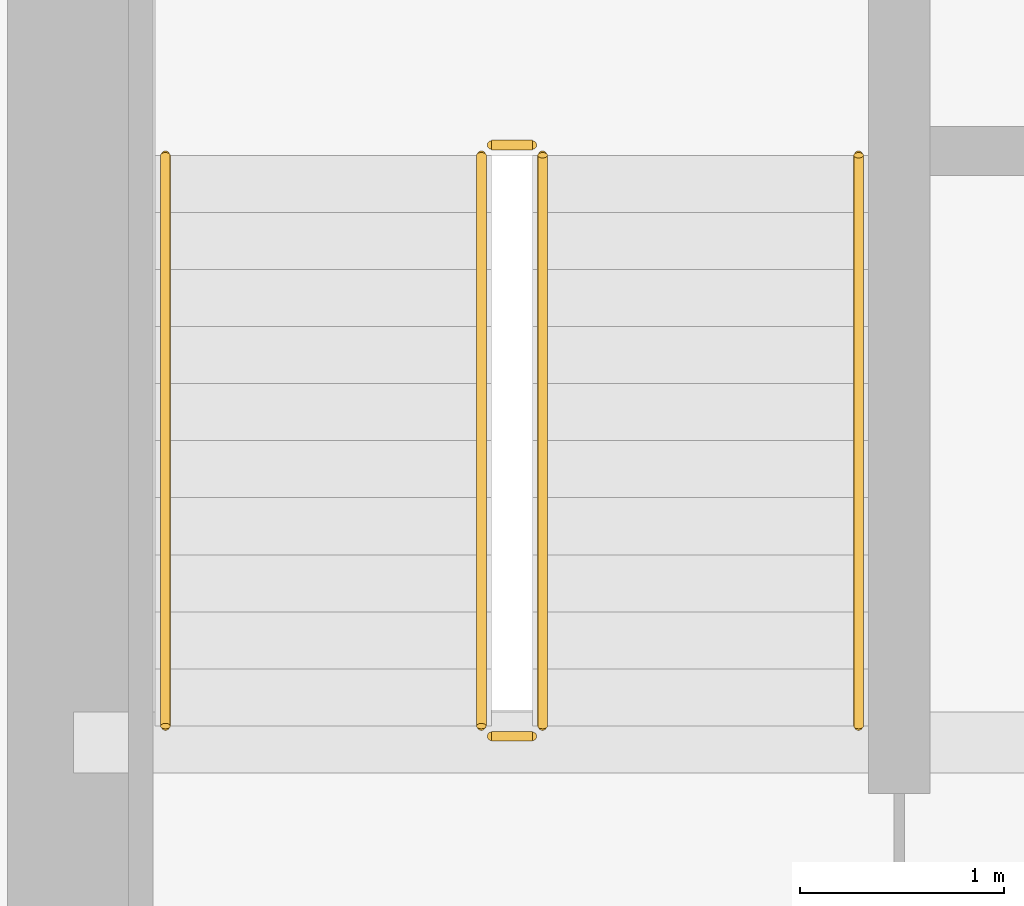
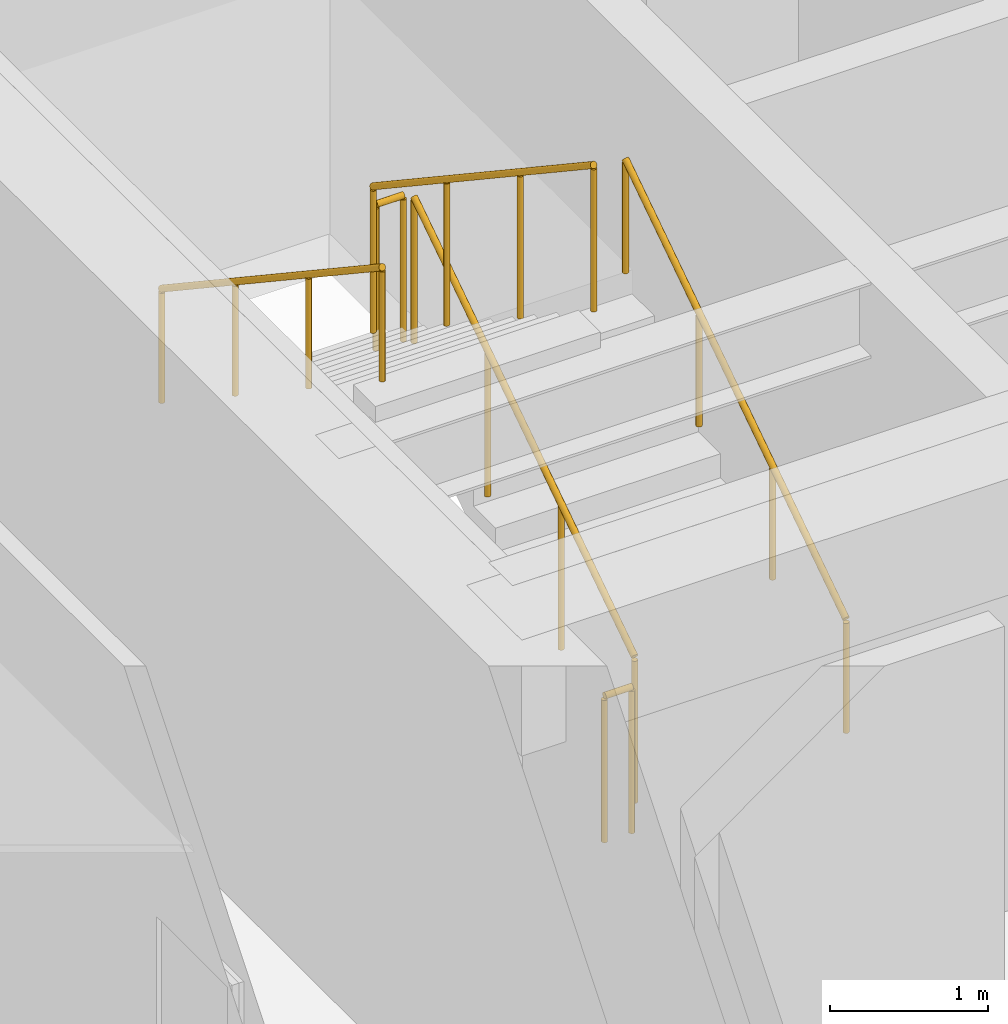
# One storey, part 30 of 33: 6 railings.
"""IFC4 building model written with IfcOpenShell, lengths in metres."""

from ifc_helpers import new_model, si_unit, direction, frame, origin, origin_2d, place, context, subcontext, project, spatial, circle, extrude, source, transform, mapped, material, type_object, type_shapes, element, save


model = new_model("IFC4")

# Units and contexts
model_context = context("Model", 3, precision=1e-05, world=origin(), true_north=direction((0.0, 1.0)))
body_context = subcontext(model_context, "Body", "Model", "MODEL_VIEW")
ifc_project = project(units=[si_unit("LENGTHUNIT", "METRE"), si_unit("AREAUNIT", "SQUARE_METRE"), si_unit("VOLUMEUNIT", "CUBIC_METRE"), si_unit("PLANEANGLEUNIT", "RADIAN"), si_unit("MASSUNIT", "GRAM", prefix="KILO")], contexts=[model_context])

# Site, building, storey
site_placement = place(None, origin())
site = spatial("IfcSite", under=ifc_project, at=site_placement, CompositionType="ELEMENT")
building_placement = place(site_placement, origin())
building = spatial("IfcBuilding", under=site, at=building_placement, Name="Haelvirn Gate Laboratories", CompositionType="ELEMENT")
storey_placement = place(building_placement, frame((0.0, 0.0, 117.39990234375)))
storey = spatial("IfcBuildingStorey", under=building, at=storey_placement, Name="L28", CompositionType="ELEMENT", Elevation=117.39990234375)

# Railings
ifc_material_1 = material(Name="Galvanised steel SM355 & stainless top rail", Category="steel")
railing_type_1 = type_object("IfcRailingType", Name="RL-GUARD-1150", PredefinedType="GUARDRAIL", material=ifc_material_1)
shared_shape_1 = source(origin(), body_context, "Body", "SweptSolid", [
    extrude(circle(Radius=0.02392578125, at=origin_2d()), frame((0.0, 0.0, 1.1259765625), z_axis=(-1.0, 0.0, 0.0), x_axis=(0.0, -1.0, 0.0)), (0.0, 0.0, 1.0), 0.199951171875),
    extrude(circle(Radius=0.02099609375, at=origin_2d()), origin(), (0.0, 0.0, 1.0), 1.101806640625),
    extrude(circle(Radius=0.02099609375, at=origin_2d()), frame((-0.199951171875, 0.0, 0.0)), (0.0, 0.0, 1.0), 1.101806640625),
])
for number, where, name in (
    (1, (9.64990234375, 29.550048828125, 2.050048828125), "L28 ST1 stair guard 2"),
    (2, (9.64990234375, 26.64990234375, 0.0), "L28 ST1 stair guard 4"),
):
    element("IfcRailing", number, at=place(storey_placement, frame(where)), inside=storey, type_object=railing_type_1, Name=name, PredefinedType="GUARDRAIL", context=body_context, shape_type="MappedRepresentation", body=[
        mapped(shared_shape_1, transform((0.0, 0.0, 0.0), scale=1.0)),
    ])
shared_shape_2 = source(origin(), body_context, "Body", "SweptSolid", [
    extrude(circle(Radius=0.02392578125, at=origin_2d()), frame((0.0, 0.0, 1.1259765625), z_axis=(0.0, 0.832485552168, 0.554046753832), x_axis=(-1.0, 0.0, 0.0)), (0.0, 0.0, 1.0), 3.363525390625),
    extrude(circle(Radius=0.02099609375, at=origin_2d()), origin(), (0.0, 0.0, 1.0), 1.101806640625),
    extrude(circle(Radius=0.02099609375, at=origin_2d()), frame((0.0, 0.933349609375, 0.62109375)), (0.0, 0.0, 1.0), 1.101806640625),
    extrude(circle(Radius=0.02099609375, at=origin_2d()), frame((0.0, 1.86669921875, 1.242431640625)), (0.0, 0.0, 1.0), 1.101806640625),
    extrude(circle(Radius=0.02099609375, at=origin_2d()), frame((0.0, 2.800048828125, 1.863525390625)), (0.0, 0.0, 1.0), 1.101806640625),
])
railing_1_placement = place(storey_placement, frame((9.699951171875, 26.699951171875, 0.1865234375)))
element("IfcRailing", 3, at=railing_1_placement, inside=storey, type_object=railing_type_1, Name="L28 ST1 stair guard 1", PredefinedType="GUARDRAIL", context=body_context, shape_type="MappedRepresentation", body=[
    mapped(shared_shape_2, transform((0.0, 0.0, 0.0), scale=1.0)),
])
ifc_material_2 = material(Name="Brushed stainless steel 316L", Category="steel")
railing_type_2 = type_object("IfcRailingType", Name="RL-HAND-920", PredefinedType="HANDRAIL", material=ifc_material_2)
shared_shape_3 = source(origin(), body_context, "Body", "SweptSolid", [
    extrude(circle(Radius=0.02392578125, at=origin_2d()), frame((0.0, 0.0, 0.8759765625), z_axis=(0.0, 0.832485552168, 0.554046753832), x_axis=(-1.0, 0.0, 0.0)), (0.0, 0.0, 1.0), 3.363525390625),
    extrude(circle(Radius=0.02099609375, at=origin_2d()), origin(), (0.0, 0.0, 1.0), 0.851806640625),
    extrude(circle(Radius=0.02099609375, at=origin_2d()), frame((0.0, 0.933349609375, 0.62109375)), (0.0, 0.0, 1.0), 0.851806640625),
    extrude(circle(Radius=0.02099609375, at=origin_2d()), frame((0.0, 1.86669921875, 1.242431640625)), (0.0, 0.0, 1.0), 0.851806640625),
    extrude(circle(Radius=0.02099609375, at=origin_2d()), frame((0.0, 2.800048828125, 1.863525390625)), (0.0, 0.0, 1.0), 0.851806640625),
])
railing_2_placement = place(storey_placement, frame((11.25, 26.699951171875, 0.1865234375)))
element("IfcRailing", 4, at=railing_2_placement, inside=storey, type_object=railing_type_2, Name="L28 ST1 stair handrail 1", PredefinedType="HANDRAIL", context=body_context, shape_type="MappedRepresentation", body=[
    mapped(shared_shape_3, transform((0.0, 0.0, 0.0), scale=1.0)),
])
shared_shape_4 = source(origin(), body_context, "Body", "SweptSolid", [
    extrude(circle(Radius=0.02392578125, at=origin_2d()), frame((0.0, 0.0, 1.1259765625), z_axis=(0.0, -0.832485552168, 0.554046753832), x_axis=(1.0, 0.0, 0.0)), (0.0, 0.0, 1.0), 3.363525390625),
    extrude(circle(Radius=0.02099609375, at=origin_2d()), origin(), (0.0, 0.0, 1.0), 1.101806640625),
    extrude(circle(Radius=0.02099609375, at=origin_2d()), frame((0.0, -0.933349609375, 0.62109375)), (0.0, 0.0, 1.0), 1.101806640625),
    extrude(circle(Radius=0.02099609375, at=origin_2d()), frame((0.0, -1.86669921875, 1.242431640625)), (0.0, 0.0, 1.0), 1.101806640625),
    extrude(circle(Radius=0.02099609375, at=origin_2d()), frame((0.0, -2.800048828125, 1.863525390625)), (0.0, 0.0, 1.0), 1.101806640625),
])
type_shapes(railing_type_1, [shared_shape_1, shared_shape_2, shared_shape_4])
railing_3_placement = place(storey_placement, frame((9.39990234375, 29.5, 2.236572265625)))
element("IfcRailing", 5, at=railing_3_placement, inside=storey, type_object=railing_type_1, Name="L28 ST1 stair guard 3", PredefinedType="GUARDRAIL", context=body_context, shape_type="MappedRepresentation", body=[
    mapped(shared_shape_4, transform((0.0, 0.0, 0.0), scale=1.0)),
])
shared_shape_5 = source(origin(), body_context, "Body", "SweptSolid", [
    extrude(circle(Radius=0.02392578125, at=origin_2d()), frame((0.0, 0.0, 0.8759765625), z_axis=(0.0, -0.832485552168, 0.554046753832), x_axis=(1.0, 0.0, 0.0)), (0.0, 0.0, 1.0), 3.363525390625),
    extrude(circle(Radius=0.02099609375, at=origin_2d()), origin(), (0.0, 0.0, 1.0), 0.851806640625),
    extrude(circle(Radius=0.02099609375, at=origin_2d()), frame((0.0, -0.933349609375, 0.62109375)), (0.0, 0.0, 1.0), 0.851806640625),
    extrude(circle(Radius=0.02099609375, at=origin_2d()), frame((0.0, -1.86669921875, 1.242431640625)), (0.0, 0.0, 1.0), 0.851806640625),
    extrude(circle(Radius=0.02099609375, at=origin_2d()), frame((0.0, -2.800048828125, 1.863525390625)), (0.0, 0.0, 1.0), 0.851806640625),
])
type_shapes(railing_type_2, [shared_shape_3, shared_shape_5])
railing_4_placement = place(storey_placement, frame((7.85009765625, 29.5, 2.236572265625)))
element("IfcRailing", 6, at=railing_4_placement, inside=storey, type_object=railing_type_2, Name="L28 ST1 stair handrail 2", PredefinedType="HANDRAIL", context=body_context, shape_type="MappedRepresentation", body=[
    mapped(shared_shape_5, transform((0.0, 0.0, 0.0), scale=1.0)),
])

save(model, "model.ifc")
